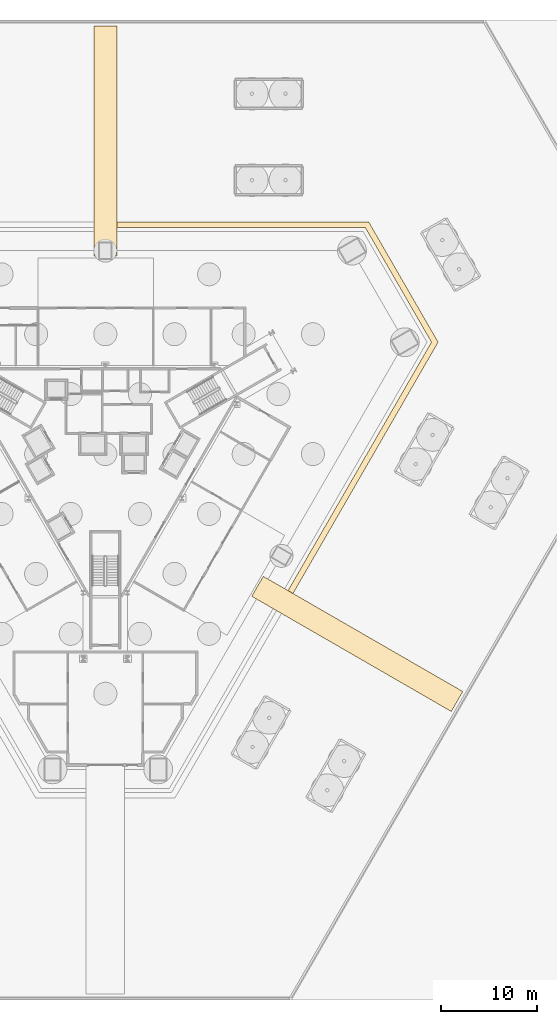
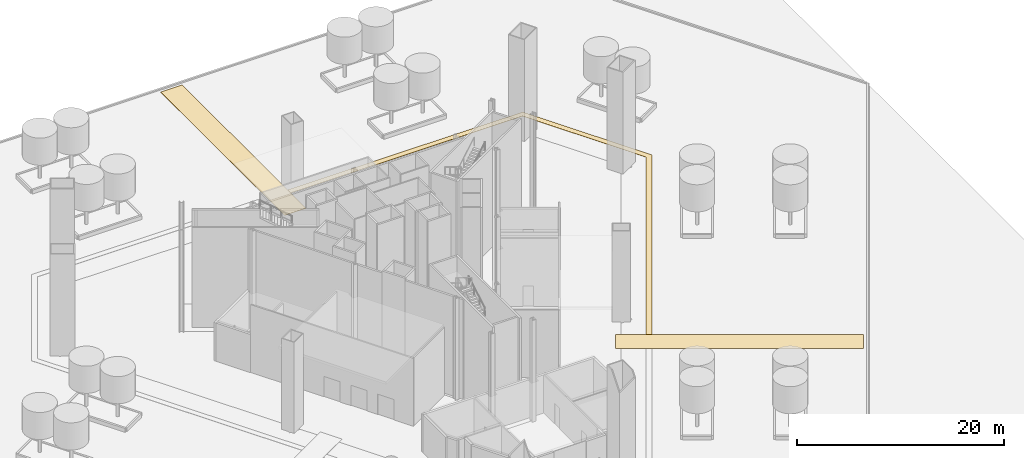
# One storey, part 17 of 22: 3 coverings.
"""IFC4 building model written with IfcOpenShell, lengths in metres."""

from ifc_helpers import new_model, si_unit, direction, origin, place, context, subcontext, project, spatial, polyline, outline, extrude, material, layer, layer_set, type_object, element, save


model = new_model("IFC4")

# Units and contexts
model_context = context("Model", 3, precision=1e-05, world=origin(), true_north=direction((0.0, 1.0)))
body_context = subcontext(model_context, "Body", "Model", "MODEL_VIEW")
ifc_project = project(units=[si_unit("LENGTHUNIT", "METRE"), si_unit("AREAUNIT", "SQUARE_METRE"), si_unit("VOLUMEUNIT", "CUBIC_METRE"), si_unit("PLANEANGLEUNIT", "RADIAN"), si_unit("MASSUNIT", "GRAM", prefix="KILO")], contexts=[model_context])

# Site, building, storey
site_placement = place(None, origin())
site = spatial("IfcSite", under=ifc_project, at=site_placement, CompositionType="ELEMENT")
building_placement = place(site_placement, origin())
building = spatial("IfcBuilding", under=site, at=building_placement, Name="Verrane Prism Tower", CompositionType="ELEMENT")
storey_placement = place(building_placement, origin())
storey = spatial("IfcBuildingStorey", under=building, at=storey_placement, Name="L00", CompositionType="ELEMENT", Elevation=0.0)

# Coverings
ifc_material = material(Name="Dark granite paving", Category="masonry")
ifc_layer = layer(ifc_material, 0.02001953125)
ifc_layer_set = layer_set([ifc_layer], Name="PB-20 granite paving band")
covering_type = type_object("IfcCoveringType", Name="PB-20 granite paving band", PredefinedType="FLOORING", material=ifc_layer_set)
covering_1_placement = place(storey_placement, origin())
element("IfcCovering", 1, at=covering_1_placement, inside=storey, type_object=covering_type, Name="Paving band 4", PredefinedType="FLOORING", context=body_context, shape_type="SweptSolid", body=[
    extrude(outline(polyline([(27.39990234375, 24.169921875), (1.199951171875, 24.169921875), (1.199951171875, 23.570068359375), (27.052978515625, 23.570068359375), (33.93896484375, 11.64404296875), (19.011962890625, -14.2099609375), (19.531982421875, -14.510009765625), (34.632080078125, 11.64404296875), (27.39990234375, 24.169921875)])), origin(), (0.0, 0.0, 1.0), 0.02001953125),
])
covering_2_placement = place(storey_placement, origin())
element("IfcCovering", 2, at=covering_2_placement, inside=storey, type_object=covering_type, Name="Paving band 5", PredefinedType="FLOORING", context=body_context, shape_type="SweptSolid", body=[
    extrude(outline(polyline([(-1.199951171875, 20.60009765625), (1.199951171875, 20.60009765625), (1.199951171875, 44.570068359375), (-1.199951171875, 44.570068359375), (-1.199951171875, 20.60009765625)])), origin(), (0.0, 0.0, 1.0), 0.02001953125),
])
covering_3_placement = place(storey_placement, origin())
element("IfcCovering", 3, at=covering_3_placement, inside=storey, type_object=covering_type, Name="Paving band 6", PredefinedType="FLOORING", context=body_context, shape_type="SweptSolid", body=[
    extrude(outline(polyline([(16.43994140625, -12.72509765625), (15.239990234375, -14.802978515625), (35.9990234375, -26.7880859375), (37.198974609375, -24.7099609375), (16.43994140625, -12.72509765625)])), origin(), (0.0, 0.0, 1.0), 0.02001953125),
])

save(model, "model.ifc")
